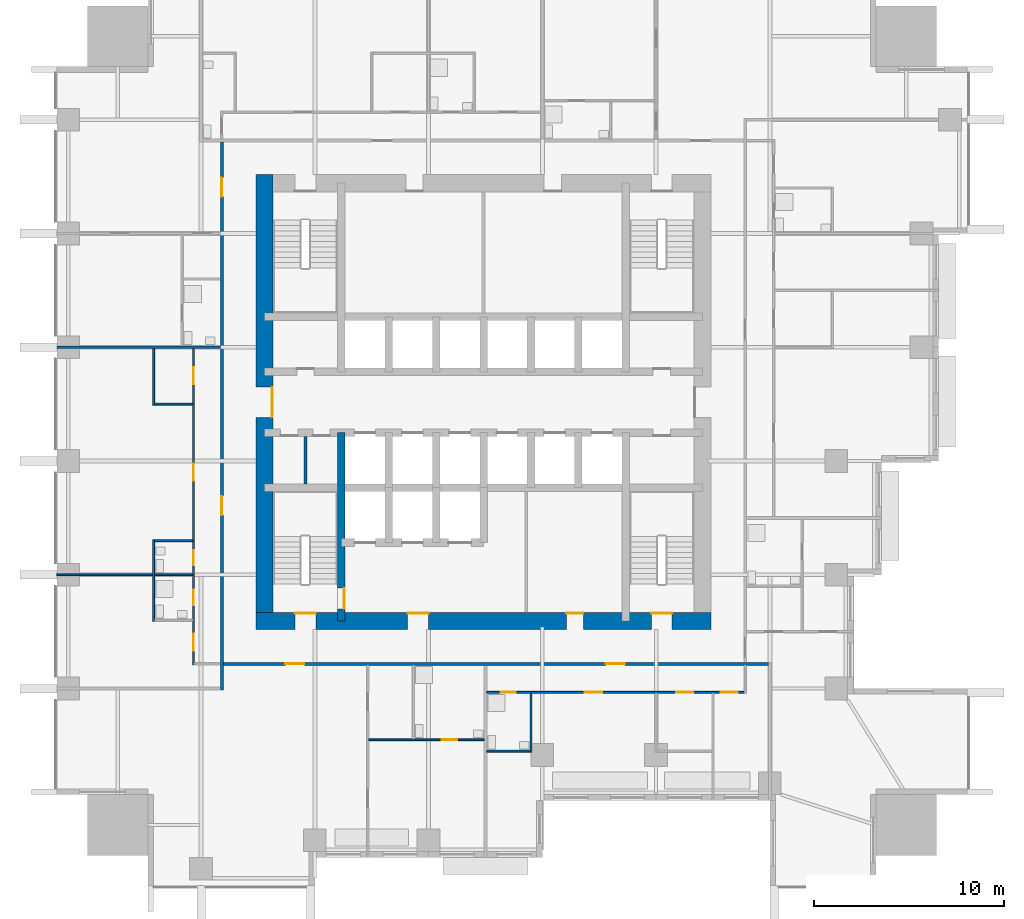
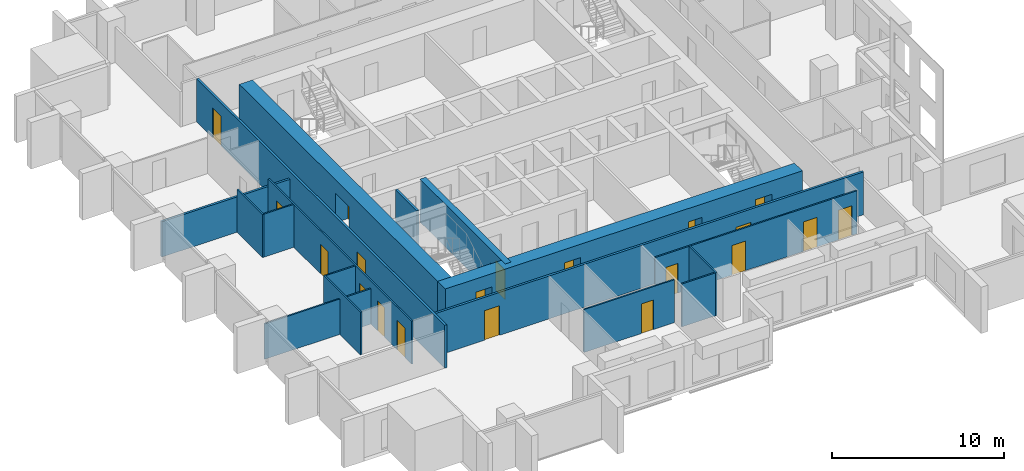
# One storey, part 4 of 10: 20 doors, 17 walls, 20 openings.
"""IFC4 building model written with IfcOpenShell, lengths in metres."""

from ifc_helpers import new_model, si_unit, direction, frame, frame_2d, origin, place, context, subcontext, project, spatial, rectangle, extrude, material, layer, layer_set, type_object, element, fill, save


model = new_model("IFC4")

# Units and contexts
model_context = context("Model", 3, precision=1e-05, world=origin(), true_north=direction((0.0, 1.0)))
body_context = subcontext(model_context, "Body", "Model", "MODEL_VIEW")
ifc_project = project(units=[si_unit("LENGTHUNIT", "METRE"), si_unit("AREAUNIT", "SQUARE_METRE"), si_unit("VOLUMEUNIT", "CUBIC_METRE"), si_unit("PLANEANGLEUNIT", "RADIAN"), si_unit("MASSUNIT", "GRAM", prefix="KILO")], contexts=[model_context])

# Site, building, storey
site_placement = place(None, origin())
site = spatial("IfcSite", under=ifc_project, at=site_placement, CompositionType="ELEMENT")
building_placement = place(site_placement, origin())
building = spatial("IfcBuilding", under=site, at=building_placement, Name="Amberfall Residences", CompositionType="ELEMENT")
storey_placement = place(building_placement, frame((0.0, 0.0, 40.0)))
storey = spatial("IfcBuildingStorey", under=building, at=storey_placement, Name="L10", CompositionType="ELEMENT", Elevation=40.0)

# Wall, opening, door
ifc_material_1 = material(Name="Concrete C80", Category="concrete")
ifc_layer_1 = layer(ifc_material_1, 0.39990234375)
ifc_layer_set_1 = layer_set([ifc_layer_1], Name="Core wall 400 C80")
wall_type_1 = type_object("IfcWallType", Name="Core wall 400 C80", PredefinedType="SHEAR", material=ifc_layer_set_1)
wall_1_placement = place(storey_placement, frame((67.0, 33.949951171875, 0.0), z_axis=(0.0, 0.0, 1.0), x_axis=(0.0, 1.0, 0.0)))
wall_1 = element("IfcWall", 1, at=wall_1_placement, inside=storey, type_object=wall_type_1, Name="Core wall RW2 L10 V45S", PredefinedType="SHEAR", context=body_context, shape_type="SweptSolid", body=[
    extrude(rectangle(XDim=9.949951171875, YDim=0.39990234375, at=frame_2d((4.97509765625, 0.0))), origin(), (0.0, 0.0, 1.0), 3.050048828125),
])
opening_1_placement = place(wall_1_placement, frame((0.64990234375, 0.0, 0.0)))
opening_1 = element("IfcOpeningElement", 2, at=opening_1_placement, cuts=wall_1, Name="Opening FL1", PredefinedType="OPENING", context=body_context, shape_type="SweptSolid", body=[
    extrude(rectangle(XDim=1.10009765625, YDim=2.10009765625, at=frame_2d((0.550048828125, 1.050048828125))), frame((0.0, 0.2099609375, 0.0), z_axis=(0.0, -1.0, 0.0), x_axis=(1.0, 0.0, 0.0)), (0.0, 0.0, 1.0), 0.419921875),
])
ifc_material_2 = material(Name="Steel fire door set", Category="steel")
door_type_1 = type_object("IfcDoorType", Name="Firefighting lobby door 1100 x 2100", OperationType="SINGLE_SWING_LEFT", PredefinedType="DOOR", material=ifc_material_2)
door_1_placement = place(opening_1_placement, origin())
door_1 = element("IfcDoor", 3, at=door_1_placement, inside=storey, type_object=door_type_1, Name="FL1 L10", OperationType="SINGLE_SWING_RIGHT", OverallHeight=2.10009765625, OverallWidth=1.10009765625, PredefinedType="DOOR", context=body_context, shape_type="SweptSolid", body=[
    extrude(rectangle(XDim=1.10009765625, YDim=2.10009765625, at=frame_2d((0.550048828125, 1.050048828125))), frame((0.0, -0.1376953125, 0.0), z_axis=(0.0, -1.0, 0.0), x_axis=(1.0, 0.0, 0.0)), (0.0, 0.0, 1.0), 0.050048828125),
])
fill(opening_1, door_1)

# Wall, openings, doors
ifc_layer_2 = layer(ifc_material_1, 0.89990234375)
ifc_layer_set_2 = layer_set([ifc_layer_2], Name="Core wall 900 C80")
wall_type_2 = type_object("IfcWallType", Name="Core wall 900 C80", PredefinedType="SHEAR", material=ifc_layer_set_2)
wall_2_placement = place(storey_placement, frame((62.5, 33.949951171875, 0.0), z_axis=(0.0, 0.0, 1.0), x_axis=(1.0, 0.0, 0.0)))
wall_2 = element("IfcWall", 4, at=wall_2_placement, inside=storey, type_object=wall_type_2, Name="Core wall RW1 L10 OS", PredefinedType="SHEAR", context=body_context, shape_type="SweptSolid", body=[
    extrude(rectangle(XDim=24.0, YDim=0.89990234375, at=frame_2d((12.0, 0.0))), origin(), (0.0, 0.0, 1.0), 3.050048828125),
])
opening_2_placement = place(wall_2_placement, frame((2.050048828125, 0.0, 0.0)))
opening_2 = element("IfcOpeningElement", 5, at=opening_2_placement, cuts=wall_2, Name="Opening SD1", PredefinedType="OPENING", context=body_context, shape_type="SweptSolid", body=[
    extrude(rectangle(XDim=1.10009765625, YDim=2.10009765625, at=frame_2d((0.550048828125, 1.050048828125))), frame((0.0, 0.4599609375, 0.0), z_axis=(0.0, -1.0, 0.0), x_axis=(1.0, 0.0, 0.0)), (0.0, 0.0, 1.0), 0.919921875),
])
opening_3_placement = place(wall_2_placement, frame((20.85009765625, 0.0, 0.0)))
opening_3 = element("IfcOpeningElement", 6, at=opening_3_placement, cuts=wall_2, Name="Opening SD1", PredefinedType="OPENING", context=body_context, shape_type="SweptSolid", body=[
    extrude(rectangle(XDim=1.10009765625, YDim=2.10009765625, at=frame_2d((0.550048828125, 1.050048828125))), frame((0.0, 0.4599609375, 0.0), z_axis=(0.0, -1.0, 0.0), x_axis=(1.0, 0.0, 0.0)), (0.0, 0.0, 1.0), 0.919921875),
])
opening_4_placement = place(wall_2_placement, frame((8.0, 0.0, 0.0)))
opening_4 = element("IfcOpeningElement", 7, at=opening_4_placement, cuts=wall_2, Name="Opening FL1", PredefinedType="OPENING", context=body_context, shape_type="SweptSolid", body=[
    extrude(rectangle(XDim=1.10009765625, YDim=2.10009765625, at=frame_2d((0.550048828125, 1.050048828125))), frame((0.0, 0.4599609375, 0.0), z_axis=(0.0, -1.0, 0.0), x_axis=(1.0, 0.0, 0.0)), (0.0, 0.0, 1.0), 0.919921875),
])
opening_5_placement = place(wall_2_placement, frame((16.362548828125, 0.0, 0.0)))
opening_5 = element("IfcOpeningElement", 8, at=opening_5_placement, cuts=wall_2, Name="Opening RD1", PredefinedType="OPENING", context=body_context, shape_type="SweptSolid", body=[
    extrude(rectangle(XDim=0.89990234375, YDim=2.10009765625, at=frame_2d((0.449951171875, 1.050048828125))), frame((0.0, 0.4599609375, 0.0), z_axis=(0.0, -1.0, 0.0), x_axis=(1.0, 0.0, 0.0)), (0.0, 0.0, 1.0), 0.919921875),
])
door_2_placement = place(opening_4_placement, origin())
door_2 = element("IfcDoor", 9, at=door_2_placement, inside=storey, type_object=door_type_1, Name="FL1 L10", OperationType="SINGLE_SWING_LEFT", OverallHeight=2.10009765625, OverallWidth=1.10009765625, PredefinedType="DOOR", context=body_context, shape_type="SweptSolid", body=[
    extrude(rectangle(XDim=1.10009765625, YDim=2.10009765625, at=frame_2d((0.550048828125, 1.050048828125))), frame((0.0, 0.4375, 0.0), z_axis=(0.0, -1.0, 0.0), x_axis=(1.0, 0.0, 0.0)), (0.0, 0.0, 1.0), 0.050048828125),
])
fill(opening_4, door_2)
door_type_2 = type_object("IfcDoorType", Name="Service room door 900 x 2100", OperationType="SINGLE_SWING_LEFT", PredefinedType="DOOR", material=ifc_material_2)
door_3_placement = place(opening_5_placement, origin())
door_3 = element("IfcDoor", 10, at=door_3_placement, inside=storey, type_object=door_type_2, Name="RD1 L10", OperationType="SINGLE_SWING_LEFT", OverallHeight=2.10009765625, OverallWidth=0.89990234375, PredefinedType="DOOR", context=body_context, shape_type="SweptSolid", body=[
    extrude(rectangle(XDim=0.89990234375, YDim=2.10009765625, at=frame_2d((0.449951171875, 1.050048828125))), frame((0.0, 0.4375, 0.0), z_axis=(0.0, -1.0, 0.0), x_axis=(1.0, 0.0, 0.0)), (0.0, 0.0, 1.0), 0.050048828125),
])
fill(opening_5, door_3)
door_type_3 = type_object("IfcDoorType", Name="Stair door 1100 x 2100", OperationType="SINGLE_SWING_LEFT", PredefinedType="DOOR", material=ifc_material_2)
door_4_placement = place(opening_2_placement, origin())
door_4 = element("IfcDoor", 11, at=door_4_placement, inside=storey, type_object=door_type_3, Name="SD1 L10", OperationType="SINGLE_SWING_LEFT", OverallHeight=2.10009765625, OverallWidth=1.10009765625, PredefinedType="DOOR", context=body_context, shape_type="SweptSolid", body=[
    extrude(rectangle(XDim=1.10009765625, YDim=2.10009765625, at=frame_2d((0.550048828125, 1.050048828125))), frame((0.0, 0.4375, 0.0), z_axis=(0.0, -1.0, 0.0), x_axis=(1.0, 0.0, 0.0)), (0.0, 0.0, 1.0), 0.050048828125),
])
fill(opening_2, door_4)
door_5_placement = place(opening_3_placement, origin())
door_5 = element("IfcDoor", 12, at=door_5_placement, inside=storey, type_object=door_type_3, Name="SD1 L10", OperationType="SINGLE_SWING_RIGHT", OverallHeight=2.10009765625, OverallWidth=1.10009765625, PredefinedType="DOOR", context=body_context, shape_type="SweptSolid", body=[
    extrude(rectangle(XDim=1.10009765625, YDim=2.10009765625, at=frame_2d((0.550048828125, 1.050048828125))), frame((0.0, 0.4375, 0.0), z_axis=(0.0, -1.0, 0.0), x_axis=(1.0, 0.0, 0.0)), (0.0, 0.0, 1.0), 0.050048828125),
])
fill(opening_3, door_5)

# Wall, opening, door
wall_3_placement = place(storey_placement, frame((62.949951171875, 33.5, 0.0), z_axis=(0.0, 0.0, 1.0), x_axis=(0.0, 1.0, 0.0)))
wall_3 = element("IfcWall", 13, at=wall_3_placement, inside=storey, type_object=wall_type_2, Name="Core wall RW1 L10 OW", PredefinedType="SHEAR", context=body_context, shape_type="SweptSolid", body=[
    extrude(rectangle(XDim=24.0, YDim=0.89990234375, at=frame_2d((12.0, 0.0))), origin(), (0.0, 0.0, 1.0), 3.050048828125),
])
opening_6_placement = place(wall_3_placement, frame((11.199951171875, 0.0, 0.0)))
opening_6 = element("IfcOpeningElement", 14, at=opening_6_placement, cuts=wall_3, Name="Opening LB1", PredefinedType="OPENING", context=body_context, shape_type="SweptSolid", body=[
    extrude(rectangle(XDim=1.60009765625, YDim=2.10009765625, at=frame_2d((0.800048828125, 1.050048828125))), frame((0.0, 0.4599609375, 0.0), z_axis=(0.0, -1.0, 0.0), x_axis=(1.0, 0.0, 0.0)), (0.0, 0.0, 1.0), 0.919921875),
])
door_type_4 = type_object("IfcDoorType", Name="Lift lobby double door 1600 x 2100", OperationType="DOUBLE_DOOR_SINGLE_SWING", PredefinedType="DOOR", material=ifc_material_2)
door_6_placement = place(opening_6_placement, origin())
door_6 = element("IfcDoor", 15, at=door_6_placement, inside=storey, type_object=door_type_4, Name="LB1 L10", OperationType="DOUBLE_DOOR_SINGLE_SWING", OverallHeight=2.10009765625, OverallWidth=1.60009765625, PredefinedType="DOOR", context=body_context, shape_type="SweptSolid", body=[
    extrude(rectangle(XDim=1.60009765625, YDim=2.10009765625, at=frame_2d((0.800048828125, 1.050048828125))), frame((0.0, -0.3876953125, 0.0), z_axis=(0.0, -1.0, 0.0), x_axis=(1.0, 0.0, 0.0)), (0.0, 0.0, 1.0), 0.050048828125),
])
fill(opening_6, door_6)

# Walls
ifc_material_3 = material(Name="Gypsum board on metal stud")
ifc_layer_3 = layer(ifc_material_3, 0.10009765625)
ifc_layer_set_3 = layer_set([ifc_layer_3], Name="Flat partition 100")
wall_type_3 = type_object("IfcWallType", Name="Flat partition 100", PredefinedType="PARTITIONING", material=ifc_layer_set_3)
wall_4_placement = place(storey_placement, frame((57.10009765625, 33.949951171875, 0.0), z_axis=(0.0, 0.0, 1.0), x_axis=(0.0, 1.0, 0.0)))
element("IfcWall", 16, at=wall_4_placement, inside=storey, type_object=wall_type_3, Name="Partition 001", PredefinedType="PARTITIONING", context=body_context, shape_type="SweptSolid", body=[
    extrude(rectangle(XDim=4.300048828125, YDim=0.10009765625, at=frame_2d((2.14990234375, 0.0))), origin(), (0.0, 0.0, 1.0), 3.050048828125),
])
wall_5_placement = place(storey_placement, frame((57.10009765625, 45.35009765625, 0.0), z_axis=(0.0, 0.0, 1.0), x_axis=(0.0, 1.0, 0.0)))
element("IfcWall", 17, at=wall_5_placement, inside=storey, type_object=wall_type_3, Name="Partition 002", PredefinedType="PARTITIONING", context=body_context, shape_type="SweptSolid", body=[
    extrude(rectangle(XDim=2.974853515625, YDim=0.10009765625, at=frame_2d((1.4873046875, 0.0))), origin(), (0.0, 0.0, 1.0), 3.050048828125),
])

# Wall, openings, doors
wall_6_placement = place(storey_placement, frame((59.199951171875, 31.64990234375, 0.0), z_axis=(0.0, 0.0, 1.0), x_axis=(0.0, 1.0, 0.0)))
wall_6 = element("IfcWall", 18, at=wall_6_placement, inside=storey, type_object=wall_type_3, Name="Partition 004", PredefinedType="PARTITIONING", context=body_context, shape_type="SweptSolid", body=[
    extrude(rectangle(XDim=16.675048828125, YDim=0.10009765625, at=frame_2d((8.33740234375, 0.0))), origin(), (0.0, 0.0, 1.0), 3.050048828125),
])
opening_7_placement = place(wall_6_placement, frame((9.699951171875, 0.0, 0.0)))
opening_7 = element("IfcOpeningElement", 19, at=opening_7_placement, cuts=wall_6, Name="Opening D41", PredefinedType="OPENING", context=body_context, shape_type="SweptSolid", body=[
    extrude(rectangle(XDim=0.89990234375, YDim=2.10009765625, at=frame_2d((0.449951171875, 1.050048828125))), frame((0.0, 0.06005859375, 0.0), z_axis=(0.0, -1.0, 0.0), x_axis=(1.0, 0.0, 0.0)), (0.0, 0.0, 1.0), 0.1201171875),
])
opening_8_placement = place(wall_6_placement, frame((14.800048828125, 0.0, 0.0)))
opening_8 = element("IfcOpeningElement", 20, at=opening_8_placement, cuts=wall_6, Name="Opening D41", PredefinedType="OPENING", context=body_context, shape_type="SweptSolid", body=[
    extrude(rectangle(XDim=0.89990234375, YDim=2.10009765625, at=frame_2d((0.449951171875, 1.050048828125))), frame((0.0, 0.06005859375, 0.0), z_axis=(0.0, -1.0, 0.0), x_axis=(1.0, 0.0, 0.0)), (0.0, 0.0, 1.0), 0.1201171875),
])
opening_9_placement = place(wall_6_placement, frame((5.25, 0.0, 0.0)))
opening_9 = element("IfcOpeningElement", 21, at=opening_9_placement, cuts=wall_6, Name="Opening D42", PredefinedType="OPENING", context=body_context, shape_type="SweptSolid", body=[
    extrude(rectangle(XDim=0.800048828125, YDim=2.10009765625, at=frame_2d((0.39990234375, 1.050048828125))), frame((0.0, 0.06005859375, 0.0), z_axis=(0.0, -1.0, 0.0), x_axis=(1.0, 0.0, 0.0)), (0.0, 0.0, 1.0), 0.1201171875),
])
opening_10_placement = place(wall_6_placement, frame((0.75, 0.0, 0.0)))
opening_10 = element("IfcOpeningElement", 22, at=opening_10_placement, cuts=wall_6, Name="Opening D41", PredefinedType="OPENING", context=body_context, shape_type="SweptSolid", body=[
    extrude(rectangle(XDim=0.89990234375, YDim=2.10009765625, at=frame_2d((0.449951171875, 1.050048828125))), frame((0.0, 0.06005859375, 0.0), z_axis=(0.0, -1.0, 0.0), x_axis=(1.0, 0.0, 0.0)), (0.0, 0.0, 1.0), 0.1201171875),
])
opening_11_placement = place(wall_6_placement, frame((3.14990234375, 0.0, 0.0)))
opening_11 = element("IfcOpeningElement", 23, at=opening_11_placement, cuts=wall_6, Name="Opening D42", PredefinedType="OPENING", context=body_context, shape_type="SweptSolid", body=[
    extrude(rectangle(XDim=0.800048828125, YDim=2.10009765625, at=frame_2d((0.39990234375, 1.050048828125))), frame((0.0, 0.06005859375, 0.0), z_axis=(0.0, -1.0, 0.0), x_axis=(1.0, 0.0, 0.0)), (0.0, 0.0, 1.0), 0.1201171875),
])
ifc_material_4 = material(Name="Timber", Category="wood")
door_type_5 = type_object("IfcDoorType", Name="Bathroom door 800 x 2100", OperationType="SINGLE_SWING_LEFT", PredefinedType="DOOR", material=ifc_material_4)
door_7_placement = place(opening_9_placement, origin())
door_7 = element("IfcDoor", 24, at=door_7_placement, inside=storey, type_object=door_type_5, Name="Door 1007 wc1", OperationType="SINGLE_SWING_LEFT", OverallHeight=2.10009765625, OverallWidth=0.800048828125, PredefinedType="DOOR", context=body_context, shape_type="SweptSolid", body=[
    extrude(rectangle(XDim=0.800048828125, YDim=2.10009765625, at=frame_2d((0.39990234375, 1.050048828125))), frame((0.0, 0.02490234375, 0.0), z_axis=(0.0, -1.0, 0.0), x_axis=(1.0, 0.0, 0.0)), (0.0, 0.0, 1.0), 0.050048828125),
])
fill(opening_9, door_7)
door_8_placement = place(opening_11_placement, origin())
door_8 = element("IfcDoor", 25, at=door_8_placement, inside=storey, type_object=door_type_5, Name="Door 1007 bath1", OperationType="SINGLE_SWING_LEFT", OverallHeight=2.10009765625, OverallWidth=0.800048828125, PredefinedType="DOOR", context=body_context, shape_type="SweptSolid", body=[
    extrude(rectangle(XDim=0.800048828125, YDim=2.10009765625, at=frame_2d((0.39990234375, 1.050048828125))), frame((0.0, 0.02490234375, 0.0), z_axis=(0.0, -1.0, 0.0), x_axis=(1.0, 0.0, 0.0)), (0.0, 0.0, 1.0), 0.050048828125),
])
fill(opening_11, door_8)
door_type_6 = type_object("IfcDoorType", Name="Internal door 900 x 2100", OperationType="SINGLE_SWING_LEFT", PredefinedType="DOOR", material=ifc_material_4)
door_9_placement = place(opening_7_placement, origin())
door_9 = element("IfcDoor", 26, at=door_9_placement, inside=storey, type_object=door_type_6, Name="Door 1007 living", OperationType="SINGLE_SWING_LEFT", OverallHeight=2.10009765625, OverallWidth=0.89990234375, PredefinedType="DOOR", context=body_context, shape_type="SweptSolid", body=[
    extrude(rectangle(XDim=0.89990234375, YDim=2.10009765625, at=frame_2d((0.449951171875, 1.050048828125))), frame((0.0, 0.02490234375, 0.0), z_axis=(0.0, -1.0, 0.0), x_axis=(1.0, 0.0, 0.0)), (0.0, 0.0, 1.0), 0.050048828125),
])
fill(opening_7, door_9)
door_10_placement = place(opening_8_placement, origin())
door_10 = element("IfcDoor", 27, at=door_10_placement, inside=storey, type_object=door_type_6, Name="Door 1007 kitchen", OperationType="SINGLE_SWING_LEFT", OverallHeight=2.10009765625, OverallWidth=0.89990234375, PredefinedType="DOOR", context=body_context, shape_type="SweptSolid", body=[
    extrude(rectangle(XDim=0.89990234375, YDim=2.10009765625, at=frame_2d((0.449951171875, 1.050048828125))), frame((0.0, 0.02490234375, 0.0), z_axis=(0.0, -1.0, 0.0), x_axis=(1.0, 0.0, 0.0)), (0.0, 0.0, 1.0), 0.050048828125),
])
fill(opening_8, door_10)
door_11_placement = place(opening_10_placement, origin())
door_11 = element("IfcDoor", 28, at=door_11_placement, inside=storey, type_object=door_type_6, Name="Door 1007 bedroom1", OperationType="SINGLE_SWING_LEFT", OverallHeight=2.10009765625, OverallWidth=0.89990234375, PredefinedType="DOOR", context=body_context, shape_type="SweptSolid", body=[
    extrude(rectangle(XDim=0.89990234375, YDim=2.10009765625, at=frame_2d((0.449951171875, 1.050048828125))), frame((0.0, 0.02490234375, 0.0), z_axis=(0.0, -1.0, 0.0), x_axis=(1.0, 0.0, 0.0)), (0.0, 0.0, 1.0), 0.050048828125),
])
fill(opening_10, door_11)

# Walls
wall_7_placement = place(storey_placement, frame((77.0, 27.050048828125, 0.0), z_axis=(0.0, 0.0, 1.0), x_axis=(0.0, 1.0, 0.0)))
element("IfcWall", 29, at=wall_7_placement, inside=storey, type_object=wall_type_3, Name="Partition 012", PredefinedType="PARTITIONING", context=body_context, shape_type="SweptSolid", body=[
    extrude(rectangle(XDim=3.099853515625, YDim=0.10009765625, at=frame_2d((1.5498046875, 0.0))), origin(), (0.0, 0.0, 1.0), 3.050048828125),
])
for number, where, z_axis, x_axis, name in (
    (30, (57.14990234375, 45.39990234375, 0.0), (0.0, 0.0, 1.0), (1.0, 0.0, 0.0), "Partition 033"),
    (31, (57.14990234375, 38.199951171875, 0.0), (0.0, 0.0, 1.0), (1.0, 0.0, 0.0), "Partition 034"),
):
    element("IfcWall", number, at=place(storey_placement, frame(where, z_axis=z_axis, x_axis=x_axis)), inside=storey, type_object=wall_type_3, Name=name, PredefinedType="PARTITIONING", context=body_context, shape_type="SweptSolid", body=[
        extrude(rectangle(XDim=2.0, YDim=0.10009765625, at=frame_2d((1.0, 0.0))), origin(), (0.0, 0.0, 1.0), 3.050048828125),
    ])
wall_8_placement = place(storey_placement, frame((52.0, 36.39990234375, 0.0), z_axis=(0.0, 0.0, 1.0), x_axis=(1.0, 0.0, 0.0)))
element("IfcWall", 32, at=wall_8_placement, inside=storey, type_object=wall_type_3, Name="Partition 035", PredefinedType="PARTITIONING", context=body_context, shape_type="SweptSolid", body=[
    extrude(rectangle(XDim=7.14990234375, YDim=0.10009765625, at=frame_2d((3.574951171875, 0.0))), origin(), (0.0, 0.0, 1.0), 2.51611328125),
])

# Wall, openings, doors
wall_9_placement = place(storey_placement, frame((88.25, 30.199951171875, 0.0), z_axis=(0.0, 0.0, 1.0), x_axis=(-1.0, 0.0, 0.0)))
wall_9 = element("IfcWall", 33, at=wall_9_placement, inside=storey, type_object=wall_type_3, Name="Partition 040", PredefinedType="PARTITIONING", context=body_context, shape_type="SweptSolid", body=[
    extrude(rectangle(XDim=13.574951171875, YDim=0.10009765625, at=frame_2d((6.78759765625, 0.0))), origin(), (0.0, 0.0, 1.0), 3.050048828125),
])
opening_12_placement = place(wall_9_placement, frame((7.5, 0.0, 0.0)))
opening_12 = element("IfcOpeningElement", 34, at=opening_12_placement, cuts=wall_9, Name="Opening D41", PredefinedType="OPENING", context=body_context, shape_type="SweptSolid", body=[
    extrude(rectangle(XDim=0.89990234375, YDim=2.10009765625, at=frame_2d((0.449951171875, 1.050048828125))), frame((0.0, 0.06005859375, 0.0), z_axis=(0.0, -1.0, 0.0), x_axis=(1.0, 0.0, 0.0)), (0.0, 0.0, 1.0), 0.1201171875),
])
opening_13_placement = place(wall_9_placement, frame((2.699951171875, 0.0, 0.0)))
opening_13 = element("IfcOpeningElement", 35, at=opening_13_placement, cuts=wall_9, Name="Opening D41", PredefinedType="OPENING", context=body_context, shape_type="SweptSolid", body=[
    extrude(rectangle(XDim=0.89990234375, YDim=2.10009765625, at=frame_2d((0.449951171875, 1.050048828125))), frame((0.0, 0.06005859375, 0.0), z_axis=(0.0, -1.0, 0.0), x_axis=(1.0, 0.0, 0.0)), (0.0, 0.0, 1.0), 0.1201171875),
])
opening_14_placement = place(wall_9_placement, frame((0.35009765625, 0.0, 0.0)))
opening_14 = element("IfcOpeningElement", 36, at=opening_14_placement, cuts=wall_9, Name="Opening D41", PredefinedType="OPENING", context=body_context, shape_type="SweptSolid", body=[
    extrude(rectangle(XDim=0.89990234375, YDim=2.10009765625, at=frame_2d((0.449951171875, 1.050048828125))), frame((0.0, 0.06005859375, 0.0), z_axis=(0.0, -1.0, 0.0), x_axis=(1.0, 0.0, 0.0)), (0.0, 0.0, 1.0), 0.1201171875),
])
opening_15_placement = place(wall_9_placement, frame((12.050048828125, 0.0, 0.0)))
opening_15 = element("IfcOpeningElement", 37, at=opening_15_placement, cuts=wall_9, Name="Opening D42", PredefinedType="OPENING", context=body_context, shape_type="SweptSolid", body=[
    extrude(rectangle(XDim=0.800048828125, YDim=2.10009765625, at=frame_2d((0.39990234375, 1.050048828125))), frame((0.0, 0.06005859375, 0.0), z_axis=(0.0, -1.0, 0.0), x_axis=(1.0, 0.0, 0.0)), (0.0, 0.0, 1.0), 0.1201171875),
])
door_12_placement = place(opening_15_placement, origin())
door_12 = element("IfcDoor", 38, at=door_12_placement, inside=storey, type_object=door_type_5, Name="Door 1002 bath1", OperationType="SINGLE_SWING_LEFT", OverallHeight=2.10009765625, OverallWidth=0.800048828125, PredefinedType="DOOR", context=body_context, shape_type="SweptSolid", body=[
    extrude(rectangle(XDim=0.800048828125, YDim=2.10009765625, at=frame_2d((0.39990234375, 1.050048828125))), frame((0.0, 0.02490234375, 0.0), z_axis=(0.0, -1.0, 0.0), x_axis=(1.0, 0.0, 0.0)), (0.0, 0.0, 1.0), 0.050048828125),
])
fill(opening_15, door_12)
door_13_placement = place(opening_12_placement, origin())
door_13 = element("IfcDoor", 39, at=door_13_placement, inside=storey, type_object=door_type_6, Name="Door 1002 living", OperationType="SINGLE_SWING_LEFT", OverallHeight=2.10009765625, OverallWidth=0.89990234375, PredefinedType="DOOR", context=body_context, shape_type="SweptSolid", body=[
    extrude(rectangle(XDim=0.89990234375, YDim=2.10009765625, at=frame_2d((0.449951171875, 1.050048828125))), frame((0.0, 0.02490234375, 0.0), z_axis=(0.0, -1.0, 0.0), x_axis=(1.0, 0.0, 0.0)), (0.0, 0.0, 1.0), 0.050048828125),
])
fill(opening_12, door_13)
door_14_placement = place(opening_13_placement, origin())
door_14 = element("IfcDoor", 40, at=door_14_placement, inside=storey, type_object=door_type_6, Name="Door 1002 kitchen", OperationType="SINGLE_SWING_LEFT", OverallHeight=2.10009765625, OverallWidth=0.89990234375, PredefinedType="DOOR", context=body_context, shape_type="SweptSolid", body=[
    extrude(rectangle(XDim=0.89990234375, YDim=2.10009765625, at=frame_2d((0.449951171875, 1.050048828125))), frame((0.0, 0.02490234375, 0.0), z_axis=(0.0, -1.0, 0.0), x_axis=(1.0, 0.0, 0.0)), (0.0, 0.0, 1.0), 0.050048828125),
])
fill(opening_13, door_14)
door_15_placement = place(opening_14_placement, origin())
door_15 = element("IfcDoor", 41, at=door_15_placement, inside=storey, type_object=door_type_6, Name="Door 1002 bedroom1", OperationType="SINGLE_SWING_LEFT", OverallHeight=2.10009765625, OverallWidth=0.89990234375, PredefinedType="DOOR", context=body_context, shape_type="SweptSolid", body=[
    extrude(rectangle(XDim=0.89990234375, YDim=2.10009765625, at=frame_2d((0.449951171875, 1.050048828125))), frame((0.0, 0.02490234375, 0.0), z_axis=(0.0, -1.0, 0.0), x_axis=(1.0, 0.0, 0.0)), (0.0, 0.0, 1.0), 0.050048828125),
])
fill(opening_14, door_15)

# Wall, opening, door
wall_10_placement = place(storey_placement, frame((68.449951171875, 27.699951171875, 0.0), z_axis=(0.0, 0.0, 1.0), x_axis=(1.0, 0.0, 0.0)))
wall_10 = element("IfcWall", 42, at=wall_10_placement, inside=storey, type_object=wall_type_3, Name="Partition 041", PredefinedType="PARTITIONING", context=body_context, shape_type="SweptSolid", body=[
    extrude(rectangle(XDim=6.074951171875, YDim=0.10009765625, at=frame_2d((3.03759765625, 0.0))), origin(), (0.0, 0.0, 1.0), 3.050048828125),
])
opening_16_placement = place(wall_10_placement, frame((3.85009765625, 0.0, 0.0)))
opening_16 = element("IfcOpeningElement", 43, at=opening_16_placement, cuts=wall_10, Name="Opening D42", PredefinedType="OPENING", context=body_context, shape_type="SweptSolid", body=[
    extrude(rectangle(XDim=0.800048828125, YDim=2.10009765625, at=frame_2d((0.39990234375, 1.050048828125))), frame((0.0, 0.06005859375, 0.0), z_axis=(0.0, -1.0, 0.0), x_axis=(1.0, 0.0, 0.0)), (0.0, 0.0, 1.0), 0.1201171875),
])
door_16_placement = place(opening_16_placement, origin())
door_16 = element("IfcDoor", 44, at=door_16_placement, inside=storey, type_object=door_type_5, Name="Door 1001 bath1", OperationType="SINGLE_SWING_LEFT", OverallHeight=2.10009765625, OverallWidth=0.800048828125, PredefinedType="DOOR", context=body_context, shape_type="SweptSolid", body=[
    extrude(rectangle(XDim=0.800048828125, YDim=2.10009765625, at=frame_2d((0.39990234375, 1.050048828125))), frame((0.0, 0.02490234375, 0.0), z_axis=(0.0, -1.0, 0.0), x_axis=(1.0, 0.0, 0.0)), (0.0, 0.0, 1.0), 0.050048828125),
])
fill(opening_16, door_16)

# Wall
wall_11_placement = place(storey_placement, frame((74.675048828125, 27.10009765625, 0.0), z_axis=(0.0, 0.0, 1.0), x_axis=(1.0, 0.0, 0.0)))
element("IfcWall", 45, at=wall_11_placement, inside=storey, type_object=wall_type_3, Name="Partition 042", PredefinedType="PARTITIONING", context=body_context, shape_type="SweptSolid", body=[
    extrude(rectangle(XDim=2.27490234375, YDim=0.10009765625, at=frame_2d((1.137451171875, 0.0))), origin(), (0.0, 0.0, 1.0), 3.050048828125),
])

# Wall, openings, doors
ifc_material_5 = material(Name="Blockwork, plastered", Category="masonry")
ifc_layer_4 = layer(ifc_material_5, 0.14990234375)
ifc_layer_set_4 = layer_set([ifc_layer_4], Name="Flat separating wall 150")
wall_type_4 = type_object("IfcWallType", Name="Flat separating wall 150", PredefinedType="PARTITIONING", material=ifc_layer_set_4)
wall_12_placement = place(storey_placement, frame((60.699951171875, 30.324951171875, 0.0), z_axis=(0.0, 0.0, 1.0), x_axis=(0.0, 1.0, 0.0)))
wall_12 = element("IfcWall", 46, at=wall_12_placement, inside=storey, type_object=wall_type_4, Name="Separating wall 045", PredefinedType="PARTITIONING", context=body_context, shape_type="SweptSolid", body=[
    extrude(rectangle(XDim=28.900146484375, YDim=0.14990234375, at=frame_2d((14.4501953125, 0.0))), origin(), (0.0, 0.0, 1.0), 3.050048828125),
])
opening_17_placement = place(wall_12_placement, frame((9.22509765625, 0.0, 0.0)))
opening_17 = element("IfcOpeningElement", 47, at=opening_17_placement, cuts=wall_12, Name="Opening D40", PredefinedType="OPENING", context=body_context, shape_type="SweptSolid", body=[
    extrude(rectangle(XDim=1.0, YDim=2.10009765625, at=frame_2d((0.5, 1.050048828125))), frame((0.0, 0.0849609375, 0.0), z_axis=(0.0, -1.0, 0.0), x_axis=(1.0, 0.0, 0.0)), (0.0, 0.0, 1.0), 0.169921875),
])
opening_18_placement = place(wall_12_placement, frame((26.02490234375, 0.0, 0.0)))
opening_18 = element("IfcOpeningElement", 48, at=opening_18_placement, cuts=wall_12, Name="Opening D40", PredefinedType="OPENING", context=body_context, shape_type="SweptSolid", body=[
    extrude(rectangle(XDim=1.0, YDim=2.10009765625, at=frame_2d((0.5, 1.050048828125))), frame((0.0, 0.0849609375, 0.0), z_axis=(0.0, -1.0, 0.0), x_axis=(1.0, 0.0, 0.0)), (0.0, 0.0, 1.0), 0.169921875),
])
ifc_material_6 = material(Name="Timber, fire-rated", Category="wood")
door_type_7 = type_object("IfcDoorType", Name="Flat entrance door FD60 1000 x 2100", OperationType="SINGLE_SWING_LEFT", PredefinedType="DOOR", material=ifc_material_6)
door_17_placement = place(opening_17_placement, origin())
door_17 = element("IfcDoor", 49, at=door_17_placement, inside=storey, type_object=door_type_7, Name="Door 1007 entrance", OperationType="SINGLE_SWING_LEFT", OverallHeight=2.10009765625, OverallWidth=1.0, PredefinedType="DOOR", context=body_context, shape_type="SweptSolid", body=[
    extrude(rectangle(XDim=1.0, YDim=2.10009765625, at=frame_2d((0.5, 1.050048828125))), frame((0.0, 0.02490234375, 0.0), z_axis=(0.0, -1.0, 0.0), x_axis=(1.0, 0.0, 0.0)), (0.0, 0.0, 1.0), 0.050048828125),
])
fill(opening_17, door_17)
door_18_placement = place(opening_18_placement, origin())
door_18 = element("IfcDoor", 50, at=door_18_placement, inside=storey, type_object=door_type_7, Name="Door 1008 entrance", OperationType="SINGLE_SWING_LEFT", OverallHeight=2.10009765625, OverallWidth=1.0, PredefinedType="DOOR", context=body_context, shape_type="SweptSolid", body=[
    extrude(rectangle(XDim=1.0, YDim=2.10009765625, at=frame_2d((0.5, 1.050048828125))), frame((0.0, 0.02490234375, 0.0), z_axis=(0.0, -1.0, 0.0), x_axis=(1.0, 0.0, 0.0)), (0.0, 0.0, 1.0), 0.050048828125),
])
fill(opening_18, door_18)

# Wall
wall_13_placement = place(storey_placement, frame((52.0, 48.39990234375, 0.0), z_axis=(0.0, 0.0, 1.0), x_axis=(1.0, 0.0, 0.0)))
element("IfcWall", 51, at=wall_13_placement, inside=storey, type_object=wall_type_4, Name="Separating wall 052", PredefinedType="PARTITIONING", context=body_context, shape_type="SweptSolid", body=[
    extrude(rectangle(XDim=8.625, YDim=0.14990234375, at=frame_2d((4.3125, 0.0))), origin(), (0.0, 0.0, 1.0), 2.51611328125),
])

# Wall, openings, doors
wall_14_placement = place(storey_placement, frame((89.52490234375, 31.699951171875, 0.0), z_axis=(0.0, 0.0, 1.0), x_axis=(-1.0, 0.0, 0.0)))
wall_14 = element("IfcWall", 52, at=wall_14_placement, inside=storey, type_object=wall_type_4, Name="Separating wall 054", PredefinedType="PARTITIONING", context=body_context, shape_type="SweptSolid", body=[
    extrude(rectangle(XDim=28.75, YDim=0.14990234375, at=frame_2d((14.375, 0.0))), origin(), (0.0, 0.0, 1.0), 3.050048828125),
])
opening_19_placement = place(wall_14_placement, frame((24.47509765625, 0.0, 0.0)))
opening_19 = element("IfcOpeningElement", 53, at=opening_19_placement, cuts=wall_14, Name="Opening D40", PredefinedType="OPENING", context=body_context, shape_type="SweptSolid", body=[
    extrude(rectangle(XDim=1.0, YDim=2.10009765625, at=frame_2d((0.5, 1.050048828125))), frame((0.0, 0.0849609375, 0.0), z_axis=(0.0, -1.0, 0.0), x_axis=(1.0, 0.0, 0.0)), (0.0, 0.0, 1.0), 0.169921875),
])
opening_20_placement = place(wall_14_placement, frame((7.574951171875, 0.0, 0.0)))
opening_20 = element("IfcOpeningElement", 54, at=opening_20_placement, cuts=wall_14, Name="Opening D40", PredefinedType="OPENING", context=body_context, shape_type="SweptSolid", body=[
    extrude(rectangle(XDim=1.0, YDim=2.10009765625, at=frame_2d((0.5, 1.050048828125))), frame((0.0, 0.0849609375, 0.0), z_axis=(0.0, -1.0, 0.0), x_axis=(1.0, 0.0, 0.0)), (0.0, 0.0, 1.0), 0.169921875),
])
door_19_placement = place(opening_19_placement, origin())
door_19 = element("IfcDoor", 55, at=door_19_placement, inside=storey, type_object=door_type_7, Name="Door 1001 entrance", OperationType="SINGLE_SWING_LEFT", OverallHeight=2.10009765625, OverallWidth=1.0, PredefinedType="DOOR", context=body_context, shape_type="SweptSolid", body=[
    extrude(rectangle(XDim=1.0, YDim=2.10009765625, at=frame_2d((0.5, 1.050048828125))), frame((0.0, 0.02490234375, 0.0), z_axis=(0.0, -1.0, 0.0), x_axis=(1.0, 0.0, 0.0)), (0.0, 0.0, 1.0), 0.050048828125),
])
fill(opening_19, door_19)
door_20_placement = place(opening_20_placement, origin())
door_20 = element("IfcDoor", 56, at=door_20_placement, inside=storey, type_object=door_type_7, Name="Door 1002 entrance", OperationType="SINGLE_SWING_LEFT", OverallHeight=2.10009765625, OverallWidth=1.0, PredefinedType="DOOR", context=body_context, shape_type="SweptSolid", body=[
    extrude(rectangle(XDim=1.0, YDim=2.10009765625, at=frame_2d((0.5, 1.050048828125))), frame((0.0, 0.02490234375, 0.0), z_axis=(0.0, -1.0, 0.0), x_axis=(1.0, 0.0, 0.0)), (0.0, 0.0, 1.0), 0.050048828125),
])
fill(opening_20, door_20)

# Wall
ifc_material_7 = material(Name="Concrete blockwork", Category="masonry")
ifc_layer_5 = layer(ifc_material_7, 0.14990234375)
ifc_layer_set_5 = layer_set([ifc_layer_5], Name="Riser wall 150")
wall_type_5 = type_object("IfcWallType", Name="Riser wall 150", PredefinedType="PLUMBINGWALL", material=ifc_layer_set_5)
wall_15_placement = place(storey_placement, frame((65.10009765625, 41.199951171875, 0.0), z_axis=(0.0, 0.0, 1.0), x_axis=(0.0, 1.0, 0.0)))
element("IfcWall", 57, at=wall_15_placement, inside=storey, type_object=wall_type_5, Name="L10 core wall ASW0", PredefinedType="PLUMBINGWALL", context=body_context, shape_type="SweptSolid", body=[
    extrude(rectangle(XDim=2.5, YDim=0.14990234375, at=frame_2d((1.25, 0.0))), origin(), (0.0, 0.0, 1.0), 3.050048828125),
])

save(model, "model.ifc")
